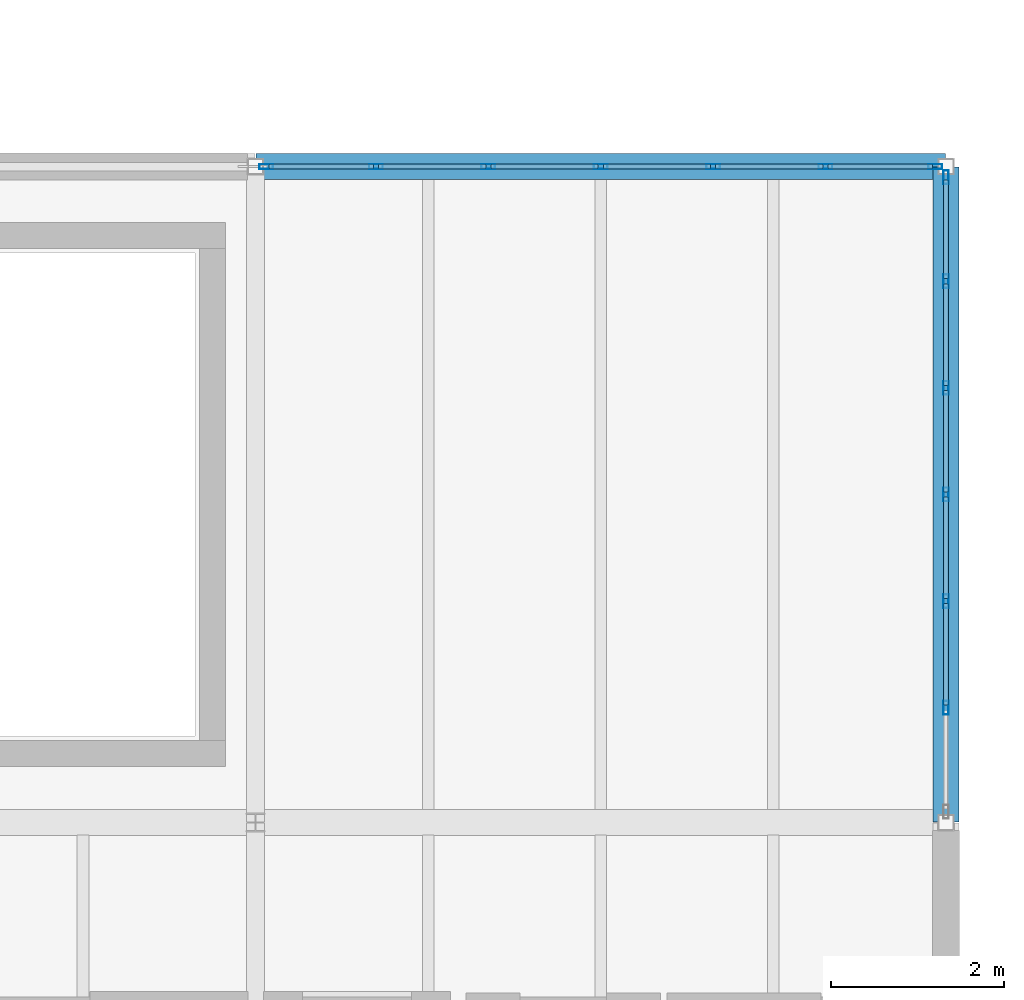
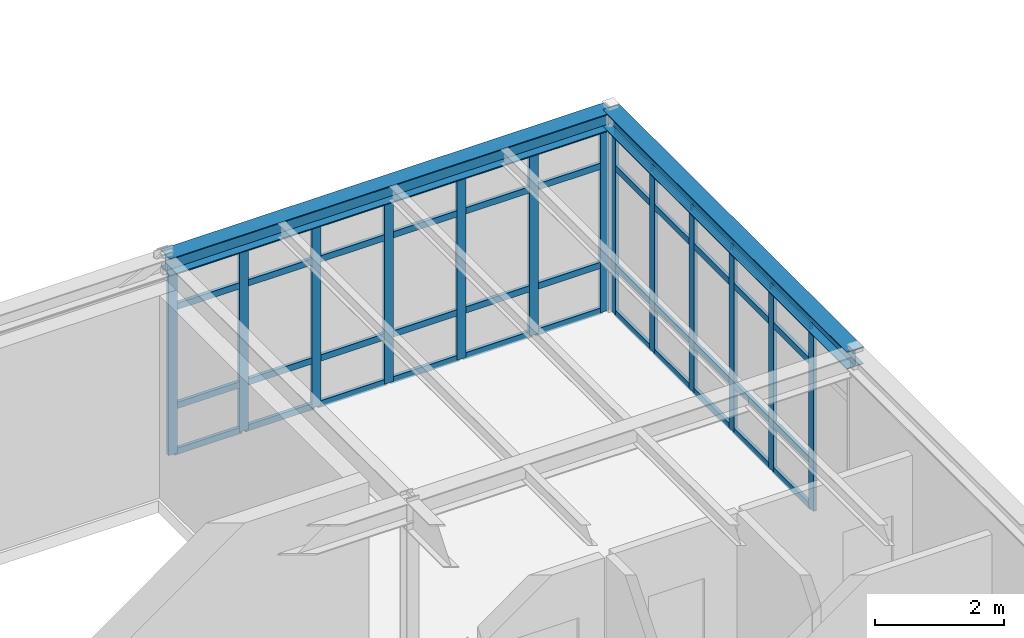
# One storey, part 37 of 65: 57 members, 2 beams, 2 elements without a shape of their own.
"""IFC4 building model written with IfcOpenShell, lengths in metres."""

from ifc_helpers import new_model, si_unit, direction, frame, origin, origin_2d, place, context, subcontext, project, spatial, hollow_rectangle, i_section, extrude, material, layer, layer_set, material_profile, profile_set, type_object, element, aggregate, save


model = new_model("IFC4")

# Units and contexts
model_context = context("Model", 3, precision=1e-05, world=origin(), true_north=direction((0.0, 1.0)))
body_context = subcontext(model_context, "Body", "Model", "MODEL_VIEW")
ifc_project = project(units=[si_unit("LENGTHUNIT", "METRE"), si_unit("AREAUNIT", "SQUARE_METRE"), si_unit("VOLUMEUNIT", "CUBIC_METRE"), si_unit("PLANEANGLEUNIT", "RADIAN"), si_unit("MASSUNIT", "GRAM", prefix="KILO")], contexts=[model_context])

# Site, building, storey
site_placement = place(None, origin())
site = spatial("IfcSite", under=ifc_project, at=site_placement, CompositionType="ELEMENT")
building_placement = place(site_placement, origin())
building = spatial("IfcBuilding", under=site, at=building_placement, Name="Montecoro Central Library", CompositionType="ELEMENT")
storey_placement = place(building_placement, frame((0.0, 0.0, 17.340087890625)))
storey = spatial("IfcBuildingStorey", under=building, at=storey_placement, Name="L04", CompositionType="ELEMENT", Elevation=17.340087890625)

# Beams
ifc_material_1 = material(Name="Steel S355", Category="steel")
ifc_material_profile_1 = material_profile(ifc_material_1, i_section(OverallWidth=0.300048828125, OverallDepth=0.330078125, WebThickness=0.009521484375, FlangeThickness=0.0166015625, at=origin_2d()), Name="HEA 340")
ifc_profile_set_1 = profile_set([ifc_material_profile_1], Name="Steel S355")
beam_type = type_object("IfcBeamType", Name="BM-SP-HEA340", PredefinedType="SPANDREL", material=ifc_profile_set_1)
beam_1_placement = place(storey_placement, frame((165.0048828125, 43.0, 3.659912109375), z_axis=(1.0, 0.0, 0.0), x_axis=(0.0, 1.0, 0.0)))
element("IfcBeam", 1, at=beam_1_placement, inside=storey, type_object=beam_type, Name="V6-L04-BX-2122-F", PredefinedType="SPANDREL", context=body_context, shape_type="SweptSolid", body=[
    extrude(i_section(OverallWidth=0.300048828125, OverallDepth=0.330078125, WebThickness=0.009521484375, FlangeThickness=0.0166015625, at=origin_2d()), origin(), (0.0, 0.0, 1.0), 7.990234375),
])
beam_2_placement = place(storey_placement, frame((173.0, 35.405029296875, 3.659912109375), z_axis=(0.0, 1.0, 0.0), x_axis=(-1.0, 0.0, 0.0)))
element("IfcBeam", 2, at=beam_2_placement, inside=storey, type_object=beam_type, Name="V6-L04-BY-22-EF", PredefinedType="SPANDREL", context=body_context, shape_type="SweptSolid", body=[
    extrude(i_section(OverallWidth=0.300048828125, OverallDepth=0.330078125, WebThickness=0.009521484375, FlangeThickness=0.0166015625, at=origin_2d()), origin(), (0.0, 0.0, 1.0), 7.590087890625),
])

# Curtain wall, members
ifc_material_2 = material(Name="Bronze-anodised aluminium and low-E glazing", Category="aluminium")
ifc_layer_1 = layer(ifc_material_2, 0.159912109375)
ifc_layer_set_1 = layer_set([ifc_layer_1], Name="Bronze-anodised aluminium and low-E glazing")
curtain_wall_type_1 = type_object("IfcCurtainWallType", Name="CWT-073", PredefinedType="NOTDEFINED", material=ifc_layer_set_1)
curtain_wall_1_placement = place(storey_placement, origin())
curtain_wall_1 = element("IfcCurtainWall", 3, at=curtain_wall_1_placement, inside=storey, type_object=curtain_wall_type_1, Name="V6-L04-CW-E4", PredefinedType="NOTDEFINED")
ifc_material_3 = material(Name="Bronze-anodised aluminium", Category="aluminium")
ifc_material_profile_2 = material_profile(ifc_material_3, hollow_rectangle(XDim=0.06005859375, YDim=0.159912109375, WallThickness=0.00390625, at=origin_2d()), Name="CWM 160x60x4.0")
ifc_profile_set_2 = profile_set([ifc_material_profile_2], Name="Bronze-anodised aluminium")
member_type_1 = type_object("IfcMemberType", Name="CWM-BRZ-60", PredefinedType="MULLION", material=ifc_profile_set_2)
member_1_placement = place(storey_placement, frame((173.0, 36.728759765625, 0.0), z_axis=(0.0, 0.0, 1.0), x_axis=(-1.0, 0.0, 0.0)))
member_1 = element("IfcMember", 4, at=member_1_placement, type_object=member_type_1, Name="CW-073 mullion 2", PredefinedType="MULLION", context=body_context, shape_type="SweptSolid", body=[
    extrude(hollow_rectangle(XDim=0.06005859375, YDim=0.159912109375, WallThickness=0.00390625, at=origin_2d()), origin(), (0.0, 0.0, 1.0), 3.47998046875),
])
member_2_placement = place(storey_placement, frame((173.0, 37.96435546875, 0.0), z_axis=(0.0, 0.0, 1.0), x_axis=(-1.0, 0.0, 0.0)))
member_2 = element("IfcMember", 5, at=member_2_placement, type_object=member_type_1, Name="CW-073 mullion 3", PredefinedType="MULLION", context=body_context, shape_type="SweptSolid", body=[
    extrude(hollow_rectangle(XDim=0.06005859375, YDim=0.159912109375, WallThickness=0.00390625, at=origin_2d()), origin(), (0.0, 0.0, 1.0), 3.47998046875),
])
member_3_placement = place(storey_placement, frame((173.0, 39.199951171875, 0.0), z_axis=(0.0, 0.0, 1.0), x_axis=(-1.0, 0.0, 0.0)))
member_3 = element("IfcMember", 6, at=member_3_placement, type_object=member_type_1, Name="CW-073 mullion 4", PredefinedType="MULLION", context=body_context, shape_type="SweptSolid", body=[
    extrude(hollow_rectangle(XDim=0.06005859375, YDim=0.159912109375, WallThickness=0.00390625, at=origin_2d()), origin(), (0.0, 0.0, 1.0), 3.47998046875),
])
member_4_placement = place(storey_placement, frame((173.0, 40.435546875, 0.0), z_axis=(0.0, 0.0, 1.0), x_axis=(-1.0, 0.0, 0.0)))
member_4 = element("IfcMember", 7, at=member_4_placement, type_object=member_type_1, Name="CW-073 mullion 5", PredefinedType="MULLION", context=body_context, shape_type="SweptSolid", body=[
    extrude(hollow_rectangle(XDim=0.06005859375, YDim=0.159912109375, WallThickness=0.00390625, at=origin_2d()), origin(), (0.0, 0.0, 1.0), 3.47998046875),
])
member_5_placement = place(storey_placement, frame((173.0, 41.67138671875, 0.0), z_axis=(0.0, 0.0, 1.0), x_axis=(-1.0, 0.0, 0.0)))
member_5 = element("IfcMember", 8, at=member_5_placement, type_object=member_type_1, Name="CW-073 mullion 6", PredefinedType="MULLION", context=body_context, shape_type="SweptSolid", body=[
    extrude(hollow_rectangle(XDim=0.06005859375, YDim=0.159912109375, WallThickness=0.00390625, at=origin_2d()), origin(), (0.0, 0.0, 1.0), 3.47998046875),
])
member_6_placement = place(storey_placement, frame((173.0, 42.876953125, 0.0), z_axis=(0.0, 0.0, 1.0), x_axis=(-1.0, 0.0, 0.0)))
member_6 = element("IfcMember", 9, at=member_6_placement, type_object=member_type_1, Name="CW-073 mullion 7", PredefinedType="MULLION", context=body_context, shape_type="SweptSolid", body=[
    extrude(hollow_rectangle(XDim=0.06005859375, YDim=0.159912109375, WallThickness=0.00390625, at=origin_2d()), origin(), (0.0, 0.0, 1.0), 3.47998046875),
])

ifc_layer_2 = layer(ifc_material_2, 0.159912109375)
ifc_layer_set_2 = layer_set([ifc_layer_2], Name="Bronze-anodised aluminium and low-E glazing")
curtain_wall_type_2 = type_object("IfcCurtainWallType", Name="CWT-074", PredefinedType="NOTDEFINED", material=ifc_layer_set_2)
curtain_wall_2_placement = place(storey_placement, origin())
curtain_wall_2 = element("IfcCurtainWall", 10, at=curtain_wall_2_placement, inside=storey, type_object=curtain_wall_type_2, Name="V6-L04-CW-N2", PredefinedType="NOTDEFINED")
member_7_placement = place(storey_placement, frame((172.876953125, 43.0, 0.0), z_axis=(0.0, 0.0, 1.0), x_axis=(0.0, -1.0, 0.0)))
member_7 = element("IfcMember", 11, at=member_7_placement, type_object=member_type_1, Name="CW-074 mullion 1", PredefinedType="MULLION", context=body_context, shape_type="SweptSolid", body=[
    extrude(hollow_rectangle(XDim=0.06005859375, YDim=0.159912109375, WallThickness=0.00390625, at=origin_2d()), origin(), (0.0, 0.0, 1.0), 3.47998046875),
])
member_8_placement = place(storey_placement, frame((171.604736328125, 43.0, 0.0), z_axis=(0.0, 0.0, 1.0), x_axis=(0.0, -1.0, 0.0)))
member_8 = element("IfcMember", 12, at=member_8_placement, type_object=member_type_1, Name="CW-074 mullion 2", PredefinedType="MULLION", context=body_context, shape_type="SweptSolid", body=[
    extrude(hollow_rectangle(XDim=0.06005859375, YDim=0.159912109375, WallThickness=0.00390625, at=origin_2d()), origin(), (0.0, 0.0, 1.0), 3.47998046875),
])
member_9_placement = place(storey_placement, frame((170.30224609375, 43.0, 0.0), z_axis=(0.0, 0.0, 1.0), x_axis=(0.0, -1.0, 0.0)))
member_9 = element("IfcMember", 13, at=member_9_placement, type_object=member_type_1, Name="CW-074 mullion 3", PredefinedType="MULLION", context=body_context, shape_type="SweptSolid", body=[
    extrude(hollow_rectangle(XDim=0.06005859375, YDim=0.159912109375, WallThickness=0.00390625, at=origin_2d()), origin(), (0.0, 0.0, 1.0), 3.47998046875),
])
member_10_placement = place(storey_placement, frame((169.0, 43.0, 0.0), z_axis=(0.0, 0.0, 1.0), x_axis=(0.0, -1.0, 0.0)))
member_10 = element("IfcMember", 14, at=member_10_placement, type_object=member_type_1, Name="CW-074 mullion 4", PredefinedType="MULLION", context=body_context, shape_type="SweptSolid", body=[
    extrude(hollow_rectangle(XDim=0.06005859375, YDim=0.159912109375, WallThickness=0.00390625, at=origin_2d()), origin(), (0.0, 0.0, 1.0), 3.47998046875),
])
member_11_placement = place(storey_placement, frame((167.69775390625, 43.0, 0.0), z_axis=(0.0, 0.0, 1.0), x_axis=(0.0, -1.0, 0.0)))
member_11 = element("IfcMember", 15, at=member_11_placement, type_object=member_type_1, Name="CW-074 mullion 5", PredefinedType="MULLION", context=body_context, shape_type="SweptSolid", body=[
    extrude(hollow_rectangle(XDim=0.06005859375, YDim=0.159912109375, WallThickness=0.00390625, at=origin_2d()), origin(), (0.0, 0.0, 1.0), 3.47998046875),
])
member_12_placement = place(storey_placement, frame((166.395263671875, 43.0, 0.0), z_axis=(0.0, 0.0, 1.0), x_axis=(0.0, -1.0, 0.0)))
member_12 = element("IfcMember", 16, at=member_12_placement, type_object=member_type_1, Name="CW-074 mullion 6", PredefinedType="MULLION", context=body_context, shape_type="SweptSolid", body=[
    extrude(hollow_rectangle(XDim=0.06005859375, YDim=0.159912109375, WallThickness=0.00390625, at=origin_2d()), origin(), (0.0, 0.0, 1.0), 3.47998046875),
])
member_13_placement = place(storey_placement, frame((165.123046875, 43.0, 0.0), z_axis=(0.0, 0.0, 1.0), x_axis=(0.0, -1.0, 0.0)))
member_13 = element("IfcMember", 17, at=member_13_placement, type_object=member_type_1, Name="CW-074 mullion 7", PredefinedType="MULLION", context=body_context, shape_type="SweptSolid", body=[
    extrude(hollow_rectangle(XDim=0.06005859375, YDim=0.159912109375, WallThickness=0.00390625, at=origin_2d()), origin(), (0.0, 0.0, 1.0), 3.47998046875),
])

# Member
ifc_material_profile_3 = material_profile(ifc_material_3, hollow_rectangle(XDim=0.06005859375, YDim=0.1201171875, WallThickness=0.00390625, at=origin_2d()), Name="CWT 120x60x4.0")
ifc_profile_set_3 = profile_set([ifc_material_profile_3], Name="Bronze-anodised aluminium")
member_type_2 = type_object("IfcMemberType", Name="CWT-BRZ-60", PredefinedType="USERDEFINED", material=ifc_profile_set_3)
member_14_placement = place(storey_placement, frame((173.0, 36.758544921875, 0.030029296875), z_axis=(0.0, 1.0, 0.0), x_axis=(-1.0, 0.0, 0.0)))
member_14 = element("IfcMember", 18, at=member_14_placement, type_object=member_type_2, Name="CW-073 transom 2.1", ObjectType="TRANSOM", PredefinedType="USERDEFINED", context=body_context, shape_type="SweptSolid", body=[
    extrude(hollow_rectangle(XDim=0.06005859375, YDim=0.1201171875, WallThickness=0.00390625, at=origin_2d()), origin(), (0.0, 0.0, 1.0), 1.17578125),
])

member_15_placement = place(storey_placement, frame((173.0, 36.758544921875, 0.89990234375), z_axis=(0.0, 1.0, 0.0), x_axis=(-1.0, 0.0, 0.0)))
member_15 = element("IfcMember", 19, at=member_15_placement, type_object=member_type_2, Name="CW-073 transom 2.2", ObjectType="TRANSOM", PredefinedType="USERDEFINED", context=body_context, shape_type="SweptSolid", body=[
    extrude(hollow_rectangle(XDim=0.06005859375, YDim=0.1201171875, WallThickness=0.00390625, at=origin_2d()), origin(), (0.0, 0.0, 1.0), 1.17578125),
])

member_16_placement = place(storey_placement, frame((173.0, 36.758544921875, 2.780029296875), z_axis=(0.0, 1.0, 0.0), x_axis=(-1.0, 0.0, 0.0)))
member_16 = element("IfcMember", 20, at=member_16_placement, type_object=member_type_2, Name="CW-073 transom 2.3", ObjectType="TRANSOM", PredefinedType="USERDEFINED", context=body_context, shape_type="SweptSolid", body=[
    extrude(hollow_rectangle(XDim=0.06005859375, YDim=0.1201171875, WallThickness=0.00390625, at=origin_2d()), origin(), (0.0, 0.0, 1.0), 1.17578125),
])

member_17_placement = place(storey_placement, frame((173.0, 36.758544921875, 3.449951171875), z_axis=(0.0, 1.0, 0.0), x_axis=(-1.0, 0.0, 0.0)))
member_17 = element("IfcMember", 21, at=member_17_placement, type_object=member_type_2, Name="CW-073 transom 2.4", ObjectType="TRANSOM", PredefinedType="USERDEFINED", context=body_context, shape_type="SweptSolid", body=[
    extrude(hollow_rectangle(XDim=0.06005859375, YDim=0.1201171875, WallThickness=0.00390625, at=origin_2d()), origin(), (0.0, 0.0, 1.0), 1.17578125),
])

member_18_placement = place(storey_placement, frame((173.0, 37.994384765625, 0.030029296875), z_axis=(0.0, 1.0, 0.0), x_axis=(-1.0, 0.0, 0.0)))
member_18 = element("IfcMember", 22, at=member_18_placement, type_object=member_type_2, Name="CW-073 transom 3.1", ObjectType="TRANSOM", PredefinedType="USERDEFINED", context=body_context, shape_type="SweptSolid", body=[
    extrude(hollow_rectangle(XDim=0.06005859375, YDim=0.1201171875, WallThickness=0.00390625, at=origin_2d()), origin(), (0.0, 0.0, 1.0), 1.175537109375),
])

member_19_placement = place(storey_placement, frame((173.0, 37.994384765625, 0.89990234375), z_axis=(0.0, 1.0, 0.0), x_axis=(-1.0, 0.0, 0.0)))
member_19 = element("IfcMember", 23, at=member_19_placement, type_object=member_type_2, Name="CW-073 transom 3.2", ObjectType="TRANSOM", PredefinedType="USERDEFINED", context=body_context, shape_type="SweptSolid", body=[
    extrude(hollow_rectangle(XDim=0.06005859375, YDim=0.1201171875, WallThickness=0.00390625, at=origin_2d()), origin(), (0.0, 0.0, 1.0), 1.175537109375),
])

member_20_placement = place(storey_placement, frame((173.0, 37.994384765625, 2.780029296875), z_axis=(0.0, 1.0, 0.0), x_axis=(-1.0, 0.0, 0.0)))
member_20 = element("IfcMember", 24, at=member_20_placement, type_object=member_type_2, Name="CW-073 transom 3.3", ObjectType="TRANSOM", PredefinedType="USERDEFINED", context=body_context, shape_type="SweptSolid", body=[
    extrude(hollow_rectangle(XDim=0.06005859375, YDim=0.1201171875, WallThickness=0.00390625, at=origin_2d()), origin(), (0.0, 0.0, 1.0), 1.175537109375),
])

member_21_placement = place(storey_placement, frame((173.0, 37.994384765625, 3.449951171875), z_axis=(0.0, 1.0, 0.0), x_axis=(-1.0, 0.0, 0.0)))
member_21 = element("IfcMember", 25, at=member_21_placement, type_object=member_type_2, Name="CW-073 transom 3.4", ObjectType="TRANSOM", PredefinedType="USERDEFINED", context=body_context, shape_type="SweptSolid", body=[
    extrude(hollow_rectangle(XDim=0.06005859375, YDim=0.1201171875, WallThickness=0.00390625, at=origin_2d()), origin(), (0.0, 0.0, 1.0), 1.175537109375),
])

member_22_placement = place(storey_placement, frame((173.0, 39.22998046875, 0.030029296875), z_axis=(0.0, 1.0, 0.0), x_axis=(-1.0, 0.0, 0.0)))
member_22 = element("IfcMember", 26, at=member_22_placement, type_object=member_type_2, Name="CW-073 transom 4.1", ObjectType="TRANSOM", PredefinedType="USERDEFINED", context=body_context, shape_type="SweptSolid", body=[
    extrude(hollow_rectangle(XDim=0.06005859375, YDim=0.1201171875, WallThickness=0.00390625, at=origin_2d()), origin(), (0.0, 0.0, 1.0), 1.17578125),
])

member_23_placement = place(storey_placement, frame((173.0, 39.22998046875, 0.89990234375), z_axis=(0.0, 1.0, 0.0), x_axis=(-1.0, 0.0, 0.0)))
member_23 = element("IfcMember", 27, at=member_23_placement, type_object=member_type_2, Name="CW-073 transom 4.2", ObjectType="TRANSOM", PredefinedType="USERDEFINED", context=body_context, shape_type="SweptSolid", body=[
    extrude(hollow_rectangle(XDim=0.06005859375, YDim=0.1201171875, WallThickness=0.00390625, at=origin_2d()), origin(), (0.0, 0.0, 1.0), 1.17578125),
])

member_24_placement = place(storey_placement, frame((173.0, 39.22998046875, 2.780029296875), z_axis=(0.0, 1.0, 0.0), x_axis=(-1.0, 0.0, 0.0)))
member_24 = element("IfcMember", 28, at=member_24_placement, type_object=member_type_2, Name="CW-073 transom 4.3", ObjectType="TRANSOM", PredefinedType="USERDEFINED", context=body_context, shape_type="SweptSolid", body=[
    extrude(hollow_rectangle(XDim=0.06005859375, YDim=0.1201171875, WallThickness=0.00390625, at=origin_2d()), origin(), (0.0, 0.0, 1.0), 1.17578125),
])

member_25_placement = place(storey_placement, frame((173.0, 39.22998046875, 3.449951171875), z_axis=(0.0, 1.0, 0.0), x_axis=(-1.0, 0.0, 0.0)))
member_25 = element("IfcMember", 29, at=member_25_placement, type_object=member_type_2, Name="CW-073 transom 4.4", ObjectType="TRANSOM", PredefinedType="USERDEFINED", context=body_context, shape_type="SweptSolid", body=[
    extrude(hollow_rectangle(XDim=0.06005859375, YDim=0.1201171875, WallThickness=0.00390625, at=origin_2d()), origin(), (0.0, 0.0, 1.0), 1.17578125),
])

member_26_placement = place(storey_placement, frame((173.0, 40.465576171875, 0.030029296875), z_axis=(0.0, 1.0, 0.0), x_axis=(-1.0, 0.0, 0.0)))
member_26 = element("IfcMember", 30, at=member_26_placement, type_object=member_type_2, Name="CW-073 transom 5.1", ObjectType="TRANSOM", PredefinedType="USERDEFINED", context=body_context, shape_type="SweptSolid", body=[
    extrude(hollow_rectangle(XDim=0.06005859375, YDim=0.1201171875, WallThickness=0.00390625, at=origin_2d()), origin(), (0.0, 0.0, 1.0), 1.17578125),
])

member_27_placement = place(storey_placement, frame((173.0, 40.465576171875, 0.89990234375), z_axis=(0.0, 1.0, 0.0), x_axis=(-1.0, 0.0, 0.0)))
member_27 = element("IfcMember", 31, at=member_27_placement, type_object=member_type_2, Name="CW-073 transom 5.2", ObjectType="TRANSOM", PredefinedType="USERDEFINED", context=body_context, shape_type="SweptSolid", body=[
    extrude(hollow_rectangle(XDim=0.06005859375, YDim=0.1201171875, WallThickness=0.00390625, at=origin_2d()), origin(), (0.0, 0.0, 1.0), 1.17578125),
])

member_28_placement = place(storey_placement, frame((173.0, 40.465576171875, 2.780029296875), z_axis=(0.0, 1.0, 0.0), x_axis=(-1.0, 0.0, 0.0)))
member_28 = element("IfcMember", 32, at=member_28_placement, type_object=member_type_2, Name="CW-073 transom 5.3", ObjectType="TRANSOM", PredefinedType="USERDEFINED", context=body_context, shape_type="SweptSolid", body=[
    extrude(hollow_rectangle(XDim=0.06005859375, YDim=0.1201171875, WallThickness=0.00390625, at=origin_2d()), origin(), (0.0, 0.0, 1.0), 1.17578125),
])

member_29_placement = place(storey_placement, frame((173.0, 40.465576171875, 3.449951171875), z_axis=(0.0, 1.0, 0.0), x_axis=(-1.0, 0.0, 0.0)))
member_29 = element("IfcMember", 33, at=member_29_placement, type_object=member_type_2, Name="CW-073 transom 5.4", ObjectType="TRANSOM", PredefinedType="USERDEFINED", context=body_context, shape_type="SweptSolid", body=[
    extrude(hollow_rectangle(XDim=0.06005859375, YDim=0.1201171875, WallThickness=0.00390625, at=origin_2d()), origin(), (0.0, 0.0, 1.0), 1.17578125),
])

member_30_placement = place(storey_placement, frame((173.0, 41.701416015625, 0.030029296875), z_axis=(0.0, 1.0, 0.0), x_axis=(-1.0, 0.0, 0.0)))
member_30 = element("IfcMember", 34, at=member_30_placement, type_object=member_type_2, Name="CW-073 transom 6.1", ObjectType="TRANSOM", PredefinedType="USERDEFINED", context=body_context, shape_type="SweptSolid", body=[
    extrude(hollow_rectangle(XDim=0.06005859375, YDim=0.1201171875, WallThickness=0.00390625, at=origin_2d()), origin(), (0.0, 0.0, 1.0), 1.1455078125),
])

member_31_placement = place(storey_placement, frame((173.0, 41.701416015625, 0.89990234375), z_axis=(0.0, 1.0, 0.0), x_axis=(-1.0, 0.0, 0.0)))
member_31 = element("IfcMember", 35, at=member_31_placement, type_object=member_type_2, Name="CW-073 transom 6.2", ObjectType="TRANSOM", PredefinedType="USERDEFINED", context=body_context, shape_type="SweptSolid", body=[
    extrude(hollow_rectangle(XDim=0.06005859375, YDim=0.1201171875, WallThickness=0.00390625, at=origin_2d()), origin(), (0.0, 0.0, 1.0), 1.1455078125),
])

member_32_placement = place(storey_placement, frame((173.0, 41.701416015625, 2.780029296875), z_axis=(0.0, 1.0, 0.0), x_axis=(-1.0, 0.0, 0.0)))
member_32 = element("IfcMember", 36, at=member_32_placement, type_object=member_type_2, Name="CW-073 transom 6.3", ObjectType="TRANSOM", PredefinedType="USERDEFINED", context=body_context, shape_type="SweptSolid", body=[
    extrude(hollow_rectangle(XDim=0.06005859375, YDim=0.1201171875, WallThickness=0.00390625, at=origin_2d()), origin(), (0.0, 0.0, 1.0), 1.1455078125),
])

member_33_placement = place(storey_placement, frame((173.0, 41.701416015625, 3.449951171875), z_axis=(0.0, 1.0, 0.0), x_axis=(-1.0, 0.0, 0.0)))
member_33 = element("IfcMember", 37, at=member_33_placement, type_object=member_type_2, Name="CW-073 transom 6.4", ObjectType="TRANSOM", PredefinedType="USERDEFINED", context=body_context, shape_type="SweptSolid", body=[
    extrude(hollow_rectangle(XDim=0.06005859375, YDim=0.1201171875, WallThickness=0.00390625, at=origin_2d()), origin(), (0.0, 0.0, 1.0), 1.1455078125),
])

aggregate(curtain_wall_1, [member_1, member_2, member_3, member_4, member_5, member_6, member_14, member_15, member_16, member_17, member_18, member_19, member_20, member_21, member_22, member_23, member_24, member_25, member_26, member_27, member_28, member_29, member_30, member_31, member_32, member_33])

member_34_placement = place(storey_placement, frame((172.846923828125, 43.0, 0.030029296875), z_axis=(-1.0, 0.0, 0.0), x_axis=(0.0, -1.0, 0.0)))
member_34 = element("IfcMember", 38, at=member_34_placement, type_object=member_type_2, Name="CW-074 transom 1.1", ObjectType="TRANSOM", PredefinedType="USERDEFINED", context=body_context, shape_type="SweptSolid", body=[
    extrude(hollow_rectangle(XDim=0.06005859375, YDim=0.1201171875, WallThickness=0.00390625, at=origin_2d()), origin(), (0.0, 0.0, 1.0), 1.212158203125),
])

member_35_placement = place(storey_placement, frame((172.846923828125, 43.0, 0.89990234375), z_axis=(-1.0, 0.0, 0.0), x_axis=(0.0, -1.0, 0.0)))
member_35 = element("IfcMember", 39, at=member_35_placement, type_object=member_type_2, Name="CW-074 transom 1.2", ObjectType="TRANSOM", PredefinedType="USERDEFINED", context=body_context, shape_type="SweptSolid", body=[
    extrude(hollow_rectangle(XDim=0.06005859375, YDim=0.1201171875, WallThickness=0.00390625, at=origin_2d()), origin(), (0.0, 0.0, 1.0), 1.212158203125),
])

member_36_placement = place(storey_placement, frame((172.846923828125, 43.0, 2.780029296875), z_axis=(-1.0, 0.0, 0.0), x_axis=(0.0, -1.0, 0.0)))
member_36 = element("IfcMember", 40, at=member_36_placement, type_object=member_type_2, Name="CW-074 transom 1.3", ObjectType="TRANSOM", PredefinedType="USERDEFINED", context=body_context, shape_type="SweptSolid", body=[
    extrude(hollow_rectangle(XDim=0.06005859375, YDim=0.1201171875, WallThickness=0.00390625, at=origin_2d()), origin(), (0.0, 0.0, 1.0), 1.212158203125),
])

member_37_placement = place(storey_placement, frame((172.846923828125, 43.0, 3.449951171875), z_axis=(-1.0, 0.0, 0.0), x_axis=(0.0, -1.0, 0.0)))
member_37 = element("IfcMember", 41, at=member_37_placement, type_object=member_type_2, Name="CW-074 transom 1.4", ObjectType="TRANSOM", PredefinedType="USERDEFINED", context=body_context, shape_type="SweptSolid", body=[
    extrude(hollow_rectangle(XDim=0.06005859375, YDim=0.1201171875, WallThickness=0.00390625, at=origin_2d()), origin(), (0.0, 0.0, 1.0), 1.212158203125),
])

member_38_placement = place(storey_placement, frame((171.57470703125, 43.0, 0.030029296875), z_axis=(-1.0, 0.0, 0.0), x_axis=(0.0, -1.0, 0.0)))
member_38 = element("IfcMember", 42, at=member_38_placement, type_object=member_type_2, Name="CW-074 transom 2.1", ObjectType="TRANSOM", PredefinedType="USERDEFINED", context=body_context, shape_type="SweptSolid", body=[
    extrude(hollow_rectangle(XDim=0.06005859375, YDim=0.1201171875, WallThickness=0.00390625, at=origin_2d()), origin(), (0.0, 0.0, 1.0), 1.242431640625),
])

member_39_placement = place(storey_placement, frame((171.57470703125, 43.0, 0.89990234375), z_axis=(-1.0, 0.0, 0.0), x_axis=(0.0, -1.0, 0.0)))
member_39 = element("IfcMember", 43, at=member_39_placement, type_object=member_type_2, Name="CW-074 transom 2.2", ObjectType="TRANSOM", PredefinedType="USERDEFINED", context=body_context, shape_type="SweptSolid", body=[
    extrude(hollow_rectangle(XDim=0.06005859375, YDim=0.1201171875, WallThickness=0.00390625, at=origin_2d()), origin(), (0.0, 0.0, 1.0), 1.242431640625),
])

member_40_placement = place(storey_placement, frame((171.57470703125, 43.0, 2.780029296875), z_axis=(-1.0, 0.0, 0.0), x_axis=(0.0, -1.0, 0.0)))
member_40 = element("IfcMember", 44, at=member_40_placement, type_object=member_type_2, Name="CW-074 transom 2.3", ObjectType="TRANSOM", PredefinedType="USERDEFINED", context=body_context, shape_type="SweptSolid", body=[
    extrude(hollow_rectangle(XDim=0.06005859375, YDim=0.1201171875, WallThickness=0.00390625, at=origin_2d()), origin(), (0.0, 0.0, 1.0), 1.242431640625),
])

member_41_placement = place(storey_placement, frame((171.57470703125, 43.0, 3.449951171875), z_axis=(-1.0, 0.0, 0.0), x_axis=(0.0, -1.0, 0.0)))
member_41 = element("IfcMember", 45, at=member_41_placement, type_object=member_type_2, Name="CW-074 transom 2.4", ObjectType="TRANSOM", PredefinedType="USERDEFINED", context=body_context, shape_type="SweptSolid", body=[
    extrude(hollow_rectangle(XDim=0.06005859375, YDim=0.1201171875, WallThickness=0.00390625, at=origin_2d()), origin(), (0.0, 0.0, 1.0), 1.242431640625),
])

member_42_placement = place(storey_placement, frame((170.272216796875, 43.0, 0.030029296875), z_axis=(-1.0, 0.0, 0.0), x_axis=(0.0, -1.0, 0.0)))
member_42 = element("IfcMember", 46, at=member_42_placement, type_object=member_type_2, Name="CW-074 transom 3.1", ObjectType="TRANSOM", PredefinedType="USERDEFINED", context=body_context, shape_type="SweptSolid", body=[
    extrude(hollow_rectangle(XDim=0.06005859375, YDim=0.1201171875, WallThickness=0.00390625, at=origin_2d()), origin(), (0.0, 0.0, 1.0), 1.2421875),
])

member_43_placement = place(storey_placement, frame((170.272216796875, 43.0, 0.89990234375), z_axis=(-1.0, 0.0, 0.0), x_axis=(0.0, -1.0, 0.0)))
member_43 = element("IfcMember", 47, at=member_43_placement, type_object=member_type_2, Name="CW-074 transom 3.2", ObjectType="TRANSOM", PredefinedType="USERDEFINED", context=body_context, shape_type="SweptSolid", body=[
    extrude(hollow_rectangle(XDim=0.06005859375, YDim=0.1201171875, WallThickness=0.00390625, at=origin_2d()), origin(), (0.0, 0.0, 1.0), 1.2421875),
])

member_44_placement = place(storey_placement, frame((170.272216796875, 43.0, 2.780029296875), z_axis=(-1.0, 0.0, 0.0), x_axis=(0.0, -1.0, 0.0)))
member_44 = element("IfcMember", 48, at=member_44_placement, type_object=member_type_2, Name="CW-074 transom 3.3", ObjectType="TRANSOM", PredefinedType="USERDEFINED", context=body_context, shape_type="SweptSolid", body=[
    extrude(hollow_rectangle(XDim=0.06005859375, YDim=0.1201171875, WallThickness=0.00390625, at=origin_2d()), origin(), (0.0, 0.0, 1.0), 1.2421875),
])

member_45_placement = place(storey_placement, frame((170.272216796875, 43.0, 3.449951171875), z_axis=(-1.0, 0.0, 0.0), x_axis=(0.0, -1.0, 0.0)))
member_45 = element("IfcMember", 49, at=member_45_placement, type_object=member_type_2, Name="CW-074 transom 3.4", ObjectType="TRANSOM", PredefinedType="USERDEFINED", context=body_context, shape_type="SweptSolid", body=[
    extrude(hollow_rectangle(XDim=0.06005859375, YDim=0.1201171875, WallThickness=0.00390625, at=origin_2d()), origin(), (0.0, 0.0, 1.0), 1.2421875),
])

member_46_placement = place(storey_placement, frame((168.969970703125, 43.0, 0.030029296875), z_axis=(-1.0, 0.0, 0.0), x_axis=(0.0, -1.0, 0.0)))
member_46 = element("IfcMember", 50, at=member_46_placement, type_object=member_type_2, Name="CW-074 transom 4.1", ObjectType="TRANSOM", PredefinedType="USERDEFINED", context=body_context, shape_type="SweptSolid", body=[
    extrude(hollow_rectangle(XDim=0.06005859375, YDim=0.1201171875, WallThickness=0.00390625, at=origin_2d()), origin(), (0.0, 0.0, 1.0), 1.2421875),
])

member_47_placement = place(storey_placement, frame((168.969970703125, 43.0, 0.89990234375), z_axis=(-1.0, 0.0, 0.0), x_axis=(0.0, -1.0, 0.0)))
member_47 = element("IfcMember", 51, at=member_47_placement, type_object=member_type_2, Name="CW-074 transom 4.2", ObjectType="TRANSOM", PredefinedType="USERDEFINED", context=body_context, shape_type="SweptSolid", body=[
    extrude(hollow_rectangle(XDim=0.06005859375, YDim=0.1201171875, WallThickness=0.00390625, at=origin_2d()), origin(), (0.0, 0.0, 1.0), 1.2421875),
])

member_48_placement = place(storey_placement, frame((168.969970703125, 43.0, 2.780029296875), z_axis=(-1.0, 0.0, 0.0), x_axis=(0.0, -1.0, 0.0)))
member_48 = element("IfcMember", 52, at=member_48_placement, type_object=member_type_2, Name="CW-074 transom 4.3", ObjectType="TRANSOM", PredefinedType="USERDEFINED", context=body_context, shape_type="SweptSolid", body=[
    extrude(hollow_rectangle(XDim=0.06005859375, YDim=0.1201171875, WallThickness=0.00390625, at=origin_2d()), origin(), (0.0, 0.0, 1.0), 1.2421875),
])

member_49_placement = place(storey_placement, frame((168.969970703125, 43.0, 3.449951171875), z_axis=(-1.0, 0.0, 0.0), x_axis=(0.0, -1.0, 0.0)))
member_49 = element("IfcMember", 53, at=member_49_placement, type_object=member_type_2, Name="CW-074 transom 4.4", ObjectType="TRANSOM", PredefinedType="USERDEFINED", context=body_context, shape_type="SweptSolid", body=[
    extrude(hollow_rectangle(XDim=0.06005859375, YDim=0.1201171875, WallThickness=0.00390625, at=origin_2d()), origin(), (0.0, 0.0, 1.0), 1.2421875),
])

member_50_placement = place(storey_placement, frame((167.667724609375, 43.0, 0.030029296875), z_axis=(-1.0, 0.0, 0.0), x_axis=(0.0, -1.0, 0.0)))
member_50 = element("IfcMember", 54, at=member_50_placement, type_object=member_type_2, Name="CW-074 transom 5.1", ObjectType="TRANSOM", PredefinedType="USERDEFINED", context=body_context, shape_type="SweptSolid", body=[
    extrude(hollow_rectangle(XDim=0.06005859375, YDim=0.1201171875, WallThickness=0.00390625, at=origin_2d()), origin(), (0.0, 0.0, 1.0), 1.242431640625),
])

member_51_placement = place(storey_placement, frame((167.667724609375, 43.0, 0.89990234375), z_axis=(-1.0, 0.0, 0.0), x_axis=(0.0, -1.0, 0.0)))
member_51 = element("IfcMember", 55, at=member_51_placement, type_object=member_type_2, Name="CW-074 transom 5.2", ObjectType="TRANSOM", PredefinedType="USERDEFINED", context=body_context, shape_type="SweptSolid", body=[
    extrude(hollow_rectangle(XDim=0.06005859375, YDim=0.1201171875, WallThickness=0.00390625, at=origin_2d()), origin(), (0.0, 0.0, 1.0), 1.242431640625),
])

member_52_placement = place(storey_placement, frame((167.667724609375, 43.0, 2.780029296875), z_axis=(-1.0, 0.0, 0.0), x_axis=(0.0, -1.0, 0.0)))
member_52 = element("IfcMember", 56, at=member_52_placement, type_object=member_type_2, Name="CW-074 transom 5.3", ObjectType="TRANSOM", PredefinedType="USERDEFINED", context=body_context, shape_type="SweptSolid", body=[
    extrude(hollow_rectangle(XDim=0.06005859375, YDim=0.1201171875, WallThickness=0.00390625, at=origin_2d()), origin(), (0.0, 0.0, 1.0), 1.242431640625),
])

member_53_placement = place(storey_placement, frame((167.667724609375, 43.0, 3.449951171875), z_axis=(-1.0, 0.0, 0.0), x_axis=(0.0, -1.0, 0.0)))
member_53 = element("IfcMember", 57, at=member_53_placement, type_object=member_type_2, Name="CW-074 transom 5.4", ObjectType="TRANSOM", PredefinedType="USERDEFINED", context=body_context, shape_type="SweptSolid", body=[
    extrude(hollow_rectangle(XDim=0.06005859375, YDim=0.1201171875, WallThickness=0.00390625, at=origin_2d()), origin(), (0.0, 0.0, 1.0), 1.242431640625),
])

member_54_placement = place(storey_placement, frame((166.365234375, 43.0, 0.030029296875), z_axis=(-1.0, 0.0, 0.0), x_axis=(0.0, -1.0, 0.0)))
member_54 = element("IfcMember", 58, at=member_54_placement, type_object=member_type_2, Name="CW-074 transom 6.1", ObjectType="TRANSOM", PredefinedType="USERDEFINED", context=body_context, shape_type="SweptSolid", body=[
    extrude(hollow_rectangle(XDim=0.06005859375, YDim=0.1201171875, WallThickness=0.00390625, at=origin_2d()), origin(), (0.0, 0.0, 1.0), 1.212158203125),
])

member_55_placement = place(storey_placement, frame((166.365234375, 43.0, 0.89990234375), z_axis=(-1.0, 0.0, 0.0), x_axis=(0.0, -1.0, 0.0)))
member_55 = element("IfcMember", 59, at=member_55_placement, type_object=member_type_2, Name="CW-074 transom 6.2", ObjectType="TRANSOM", PredefinedType="USERDEFINED", context=body_context, shape_type="SweptSolid", body=[
    extrude(hollow_rectangle(XDim=0.06005859375, YDim=0.1201171875, WallThickness=0.00390625, at=origin_2d()), origin(), (0.0, 0.0, 1.0), 1.212158203125),
])

member_56_placement = place(storey_placement, frame((166.365234375, 43.0, 2.780029296875), z_axis=(-1.0, 0.0, 0.0), x_axis=(0.0, -1.0, 0.0)))
member_56 = element("IfcMember", 60, at=member_56_placement, type_object=member_type_2, Name="CW-074 transom 6.3", ObjectType="TRANSOM", PredefinedType="USERDEFINED", context=body_context, shape_type="SweptSolid", body=[
    extrude(hollow_rectangle(XDim=0.06005859375, YDim=0.1201171875, WallThickness=0.00390625, at=origin_2d()), origin(), (0.0, 0.0, 1.0), 1.212158203125),
])

member_57_placement = place(storey_placement, frame((166.365234375, 43.0, 3.449951171875), z_axis=(-1.0, 0.0, 0.0), x_axis=(0.0, -1.0, 0.0)))
member_57 = element("IfcMember", 61, at=member_57_placement, type_object=member_type_2, Name="CW-074 transom 6.4", ObjectType="TRANSOM", PredefinedType="USERDEFINED", context=body_context, shape_type="SweptSolid", body=[
    extrude(hollow_rectangle(XDim=0.06005859375, YDim=0.1201171875, WallThickness=0.00390625, at=origin_2d()), origin(), (0.0, 0.0, 1.0), 1.212158203125),
])

aggregate(curtain_wall_2, [member_7, member_8, member_9, member_10, member_11, member_12, member_13, member_34, member_35, member_36, member_37, member_38, member_39, member_40, member_41, member_42, member_43, member_44, member_45, member_46, member_47, member_48, member_49, member_50, member_51, member_52, member_53, member_54, member_55, member_56, member_57])

save(model, "model.ifc")
